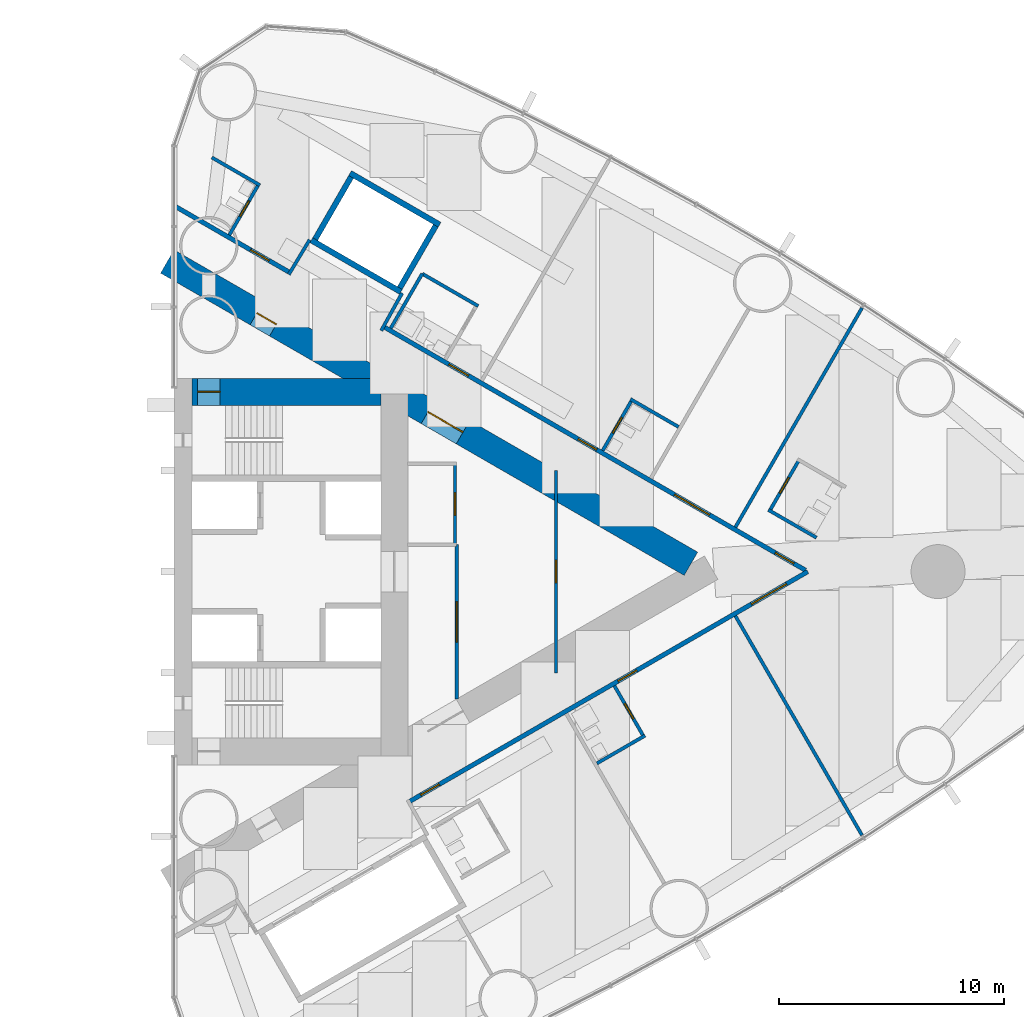
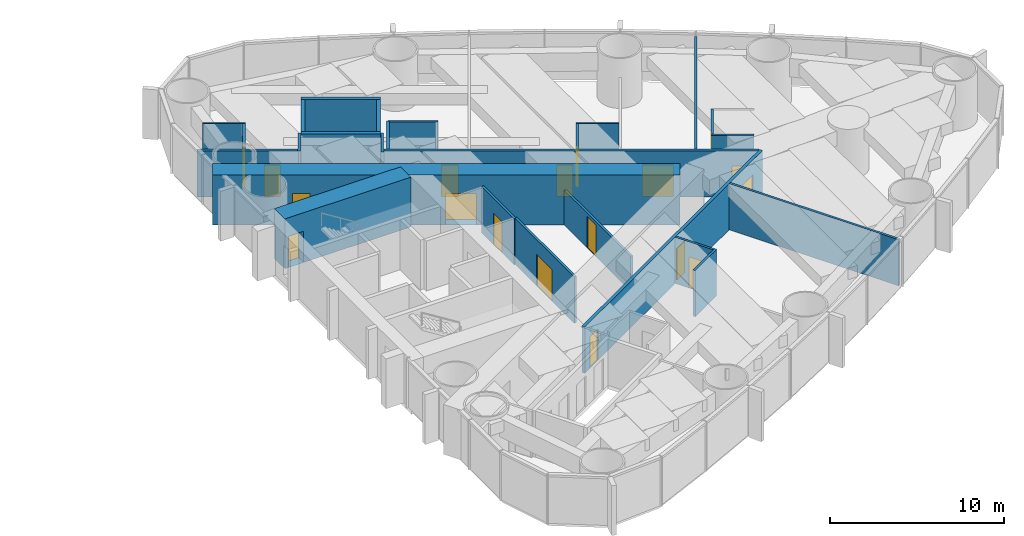
# One storey, part 14 of 18: 26 walls, 18 doors, 18 openings.
"""IFC4 building model written with IfcOpenShell, lengths in metres."""

from ifc_helpers import new_model, si_unit, direction, frame, frame_2d, origin, place, context, subcontext, project, spatial, rectangle, extrude, material, layer, layer_set, type_object, element, fill, save


model = new_model("IFC4")

# Units and contexts
model_context = context("Model", 3, precision=1e-05, world=origin(), true_north=direction((0.0, 1.0)))
body_context = subcontext(model_context, "Body", "Model", "MODEL_VIEW")
ifc_project = project(units=[si_unit("LENGTHUNIT", "METRE"), si_unit("AREAUNIT", "SQUARE_METRE"), si_unit("VOLUMEUNIT", "CUBIC_METRE"), si_unit("PLANEANGLEUNIT", "RADIAN"), si_unit("MASSUNIT", "GRAM", prefix="KILO")], contexts=[model_context])

# Site, building, storey
site_placement = place(None, origin())
site = spatial("IfcSite", under=ifc_project, at=site_placement, CompositionType="ELEMENT")
building_placement = place(site_placement, origin())
building = spatial("IfcBuilding", under=site, at=building_placement, Name="Lancet Gate Hotel", CompositionType="ELEMENT")
storey_placement = place(building_placement, frame((0.0, 0.0, 139.60009765625)))
storey = spatial("IfcBuildingStorey", under=building, at=storey_placement, Name="L37", CompositionType="ELEMENT", Elevation=139.60009765625)

# Wall
ifc_material_1 = material(Name="Moisture resistant board partition")
ifc_layer_1 = layer(ifc_material_1, 0.14990234375)
ifc_layer_set_1 = layer_set([ifc_layer_1], Name="Bathroom wall 150")
wall_type_1 = type_object("IfcWallType", Name="Bathroom wall 150", PredefinedType="PARTITIONING", material=ifc_layer_set_1)
wall_1_placement = place(storey_placement, frame((46.318603515625, -8.535400390625, 0.0), z_axis=(0.0, 0.0, 1.0), x_axis=(0.866006523861, 0.500032699561, 0.0)))
element("IfcWall", 1, at=wall_1_placement, inside=storey, type_object=wall_type_1, Name="T2 bathroom wall 150 L37", PredefinedType="PARTITIONING", context=body_context, shape_type="SweptSolid", body=[
    extrude(rectangle(XDim=2.474853515625, YDim=0.14990234375, at=frame_2d((1.2373046875, 0.0))), origin(), (0.0, 0.0, 1.0), 3.25),
])

# Wall, opening, door
wall_2_placement = place(storey_placement, frame((47.096923828125, -5.083740234375, 0.0), z_axis=(0.0, 0.0, 1.0), x_axis=(0.500006934395, -0.866021400173, 0.0)))
wall_2 = element("IfcWall", 2, at=wall_2_placement, inside=storey, type_object=wall_type_1, Name="T2 bathroom wall 150 L37", PredefinedType="PARTITIONING", context=body_context, shape_type="SweptSolid", body=[
    extrude(rectangle(XDim=2.60009765625, YDim=0.14990234375, at=frame_2d((1.300048828125, 0.0))), origin(), (0.0, 0.0, 1.0), 3.25),
])
opening_1_placement = place(wall_2_placement, frame((0.89990234375, 0.0, 0.0)))
opening_1 = element("IfcOpeningElement", 3, at=opening_1_placement, cuts=wall_2, Name="Opening 3755-B", PredefinedType="OPENING", context=body_context, shape_type="SweptSolid", body=[
    extrude(rectangle(XDim=0.800048828125, YDim=2.199951171875, at=frame_2d((0.39990234375, 1.10009765625))), frame((0.0, 0.0849609375, 0.0), z_axis=(0.0, -1.0, 0.0), x_axis=(1.0, 0.0, 0.0)), (0.0, 0.0, 1.0), 0.169921875),
])
ifc_material_2 = material(Name="Timber door set", Category="wood")
door_type_1 = type_object("IfcDoorType", Name="Bathroom door 800", OperationType="SINGLE_SWING_RIGHT", PredefinedType="DOOR", material=ifc_material_2)
door_1_placement = place(opening_1_placement, origin())
door_1 = element("IfcDoor", 4, at=door_1_placement, inside=storey, type_object=door_type_1, Name="3755-B", OperationType="SINGLE_SWING_RIGHT", OverallHeight=2.199951171875, OverallWidth=0.800048828125, PredefinedType="DOOR", context=body_context, shape_type="SweptSolid", body=[
    extrude(rectangle(XDim=0.800048828125, YDim=2.199951171875, at=frame_2d((0.39990234375, 1.10009765625))), frame((0.0, 0.02490234375, 0.0), z_axis=(0.0, -1.0, 0.0), x_axis=(1.0, 0.0, 0.0)), (0.0, 0.0, 1.0), 0.050048828125),
])
fill(opening_1, door_1)

wall_3_placement = place(storey_placement, frame((54.010009765625, 2.708984375, 0.0), z_axis=(0.0, 0.0, 1.0), x_axis=(0.500006934395, 0.866021400173, 0.0)))
wall_3 = element("IfcWall", 5, at=wall_3_placement, inside=storey, type_object=wall_type_1, Name="T2 bathroom wall 150 L37", PredefinedType="PARTITIONING", context=body_context, shape_type="SweptSolid", body=[
    extrude(rectangle(XDim=2.60009765625, YDim=0.14990234375, at=frame_2d((1.300048828125, 0.0))), origin(), (0.0, 0.0, 1.0), 3.25),
])
opening_2_placement = place(wall_3_placement, frame((0.89990234375, 0.0, 0.0)))
opening_2 = element("IfcOpeningElement", 6, at=opening_2_placement, cuts=wall_3, Name="Opening 3758-B", PredefinedType="OPENING", context=body_context, shape_type="SweptSolid", body=[
    extrude(rectangle(XDim=0.800048828125, YDim=2.199951171875, at=frame_2d((0.39990234375, 1.10009765625))), frame((0.0, 0.0849609375, 0.0), z_axis=(0.0, -1.0, 0.0), x_axis=(1.0, 0.0, 0.0)), (0.0, 0.0, 1.0), 0.169921875),
])
door_2_placement = place(opening_2_placement, origin())
door_2 = element("IfcDoor", 7, at=door_2_placement, inside=storey, type_object=door_type_1, Name="3758-B", OperationType="SINGLE_SWING_RIGHT", OverallHeight=2.199951171875, OverallWidth=0.800048828125, PredefinedType="DOOR", context=body_context, shape_type="SweptSolid", body=[
    extrude(rectangle(XDim=0.800048828125, YDim=2.199951171875, at=frame_2d((0.39990234375, 1.10009765625))), frame((0.0, 0.02490234375, 0.0), z_axis=(0.0, -1.0, 0.0), x_axis=(1.0, 0.0, 0.0)), (0.0, 0.0, 1.0), 0.050048828125),
])
fill(opening_2, door_2)

# Walls
for number, where, z_axis, x_axis, name in (
    (8, (53.945068359375, 2.74658203125, 0.0), (0.0, 0.0, 1.0), (0.866031185235, -0.4999899861, 0.0), "T2 bathroom wall 150 L37"),
    (9, (47.81005859375, 7.67431640625, 0.0), (0.0, 0.0, 1.0), (0.866031185235, -0.4999899861, 0.0), "T2 bathroom wall 150 L37"),
):
    element("IfcWall", number, at=place(storey_placement, frame(where, z_axis=z_axis, x_axis=x_axis)), inside=storey, type_object=wall_type_1, Name=name, PredefinedType="PARTITIONING", context=body_context, shape_type="SweptSolid", body=[
        extrude(rectangle(XDim=2.47509765625, YDim=0.14990234375, at=frame_2d((1.237548828125, 0.0))), origin(), (0.0, 0.0, 1.0), 3.25),
    ])

# Wall, opening, door
wall_4_placement = place(storey_placement, frame((46.574951171875, 5.385009765625, 0.0), z_axis=(0.0, 0.0, 1.0), x_axis=(0.500006934395, 0.866021400173, 0.0)))
wall_4 = element("IfcWall", 10, at=wall_4_placement, inside=storey, type_object=wall_type_1, Name="T2 bathroom wall 150 L37", PredefinedType="PARTITIONING", context=body_context, shape_type="SweptSolid", body=[
    extrude(rectangle(XDim=2.60009765625, YDim=0.14990234375, at=frame_2d((1.300048828125, 0.0))), origin(), (0.0, 0.0, 1.0), 3.25),
])
opening_3_placement = place(wall_4_placement, frame((0.89990234375, 0.0, 0.0)))
opening_3 = element("IfcOpeningElement", 11, at=opening_3_placement, cuts=wall_4, Name="Opening 3760-B", PredefinedType="OPENING", context=body_context, shape_type="SweptSolid", body=[
    extrude(rectangle(XDim=0.800048828125, YDim=2.199951171875, at=frame_2d((0.39990234375, 1.10009765625))), frame((0.0, 0.0849609375, 0.0), z_axis=(0.0, -1.0, 0.0), x_axis=(1.0, 0.0, 0.0)), (0.0, 0.0, 1.0), 0.169921875),
])
door_3_placement = place(opening_3_placement, origin())
door_3 = element("IfcDoor", 12, at=door_3_placement, inside=storey, type_object=door_type_1, Name="3760-B", OperationType="SINGLE_SWING_RIGHT", OverallHeight=2.199951171875, OverallWidth=0.800048828125, PredefinedType="DOOR", context=body_context, shape_type="SweptSolid", body=[
    extrude(rectangle(XDim=0.800048828125, YDim=2.199951171875, at=frame_2d((0.39990234375, 1.10009765625))), frame((0.0, 0.02490234375, 0.0), z_axis=(0.0, -1.0, 0.0), x_axis=(1.0, 0.0, 0.0)), (0.0, 0.0, 1.0), 0.050048828125),
])
fill(opening_3, door_3)

# Walls
wall_5_placement = place(storey_placement, frame((38.5439453125, 13.255126953125, 0.0), z_axis=(0.0, 0.0, 1.0), x_axis=(0.866018712932, -0.500011588718, 0.0)))
element("IfcWall", 13, at=wall_5_placement, inside=storey, type_object=wall_type_1, Name="T2 bathroom wall 150 L37", PredefinedType="PARTITIONING", context=body_context, shape_type="SweptSolid", body=[
    extrude(rectangle(XDim=2.875, YDim=0.14990234375, at=frame_2d((1.4375, 0.0))), origin(), (0.0, 0.0, 1.0), 3.25),
])
wall_6_placement = place(storey_placement, frame((37.143798828125, 10.830078125, 0.0), z_axis=(0.0, 0.0, 1.0), x_axis=(0.500011755427, 0.866018616679, 0.0)))
element("IfcWall", 14, at=wall_6_placement, inside=storey, type_object=wall_type_1, Name="T2 bathroom wall 150 L37", PredefinedType="PARTITIONING", context=body_context, shape_type="SweptSolid", body=[
    extrude(rectangle(XDim=2.80029296875, YDim=0.14990234375, at=frame_2d((1.400146484375, 0.0))), origin(), (0.0, 0.0, 1.0), 3.25),
])
wall_7_placement = place(storey_placement, frame((29.181884765625, 18.42919921875, 0.0), z_axis=(0.0, 0.0, 1.0), x_axis=(0.866006523861, -0.500032699561, 0.0)))
element("IfcWall", 15, at=wall_7_placement, inside=storey, type_object=wall_type_1, Name="T2 bathroom wall 150 L37", PredefinedType="PARTITIONING", context=body_context, shape_type="SweptSolid", body=[
    extrude(rectangle(XDim=2.474853515625, YDim=0.14990234375, at=frame_2d((1.2373046875, 0.0))), origin(), (0.0, 0.0, 1.0), 3.25),
])

# Wall, opening, door
wall_8_placement = place(storey_placement, frame((29.960205078125, 14.9775390625, 0.0), z_axis=(0.0, 0.0, 1.0), x_axis=(0.500006934395, 0.866021400173, 0.0)))
wall_8 = element("IfcWall", 16, at=wall_8_placement, inside=storey, type_object=wall_type_1, Name="T2 bathroom wall 150 L37", PredefinedType="PARTITIONING", context=body_context, shape_type="SweptSolid", body=[
    extrude(rectangle(XDim=2.60009765625, YDim=0.14990234375, at=frame_2d((1.300048828125, 0.0))), origin(), (0.0, 0.0, 1.0), 3.25),
])
opening_4_placement = place(wall_8_placement, frame((0.949951171875, 0.0, 0.0)))
opening_4 = element("IfcOpeningElement", 17, at=opening_4_placement, cuts=wall_8, Name="Opening 3764-B", PredefinedType="OPENING", context=body_context, shape_type="SweptSolid", body=[
    extrude(rectangle(XDim=0.800048828125, YDim=2.199951171875, at=frame_2d((0.39990234375, 1.10009765625))), frame((0.0, 0.0849609375, 0.0), z_axis=(0.0, -1.0, 0.0), x_axis=(1.0, 0.0, 0.0)), (0.0, 0.0, 1.0), 0.169921875),
])
door_4_placement = place(opening_4_placement, origin())
door_4 = element("IfcDoor", 18, at=door_4_placement, inside=storey, type_object=door_type_1, Name="3764-B", OperationType="SINGLE_SWING_RIGHT", OverallHeight=2.199951171875, OverallWidth=0.800048828125, PredefinedType="DOOR", context=body_context, shape_type="SweptSolid", body=[
    extrude(rectangle(XDim=0.800048828125, YDim=2.199951171875, at=frame_2d((0.39990234375, 1.10009765625))), frame((0.0, 0.02490234375, 0.0), z_axis=(0.0, -1.0, 0.0), x_axis=(1.0, 0.0, 0.0)), (0.0, 0.0, 1.0), 0.050048828125),
])
fill(opening_4, door_4)

# Wall, openings, doors
ifc_material_3 = material(Name="Concrete C70/85", Category="concrete")
ifc_layer_2 = layer(ifc_material_3, 1.199951171875)
ifc_layer_set_2 = layer_set([ifc_layer_2], Name="Buttress wall 1200")
wall_type_2 = type_object("IfcWallType", Name="Buttress wall 1200", PredefinedType="SHEAR", material=ifc_layer_set_2)
wall_9_placement = place(storey_placement, frame((27.199951171875, 13.800048828125, 0.0), z_axis=(0.0, 0.0, 1.0), x_axis=(0.866024515034, -0.500001539357, 0.0)))
wall_9 = element("IfcWall", 19, at=wall_9_placement, inside=storey, type_object=wall_type_2, Name="T2 buttress wall N L37", PredefinedType="SHEAR", context=body_context, shape_type="SweptSolid", body=[
    extrude(rectangle(XDim=26.9072265625, YDim=1.199951171875, at=frame_2d((13.45361328125, 0.0))), origin(), (0.0, 0.0, 1.0), 3.5),
])
opening_5_placement = place(wall_9_placement, frame((4.60009765625, 0.0, 0.0)))
opening_5 = element("IfcOpeningElement", 20, at=opening_5_placement, cuts=wall_9, Name="Opening T2-L37-LN", PredefinedType="OPENING", context=body_context, shape_type="SweptSolid", body=[
    extrude(rectangle(XDim=1.0, YDim=2.199951171875, at=frame_2d((0.5, 1.10009765625))), frame((0.0, 0.60986328125, 0.0), z_axis=(0.0, -1.0, 0.0), x_axis=(1.0, 0.0, 0.0)), (0.0, 0.0, 1.0), 1.219970703125),
])
opening_6_placement = place(wall_9_placement, frame((13.39453125, 0.0, 0.0)))
opening_6 = element("IfcOpeningElement", 21, at=opening_6_placement, cuts=wall_9, Name="Opening T2-L37-LHN", PredefinedType="OPENING", context=body_context, shape_type="SweptSolid", body=[
    extrude(rectangle(XDim=1.800048828125, YDim=2.199951171875, at=frame_2d((0.89990234375, 1.10009765625))), frame((0.0, 0.60986328125, 0.0), z_axis=(0.0, -1.0, 0.0), x_axis=(1.0, 0.0, 0.0)), (0.0, 0.0, 1.0), 1.219970703125),
])
ifc_material_4 = material(Name="Timber door set", Category="wood")
door_type_2 = type_object("IfcDoorType", Name="Lobby double door 1800", OperationType="DOUBLE_DOOR_SINGLE_SWING", PredefinedType="DOOR", material=ifc_material_4)
door_5_placement = place(opening_6_placement, origin())
door_5 = element("IfcDoor", 22, at=door_5_placement, inside=storey, type_object=door_type_2, Name="T2-L37-LHN", OperationType="DOUBLE_DOOR_SINGLE_SWING", OverallHeight=2.199951171875, OverallWidth=1.800048828125, PredefinedType="DOOR", context=body_context, shape_type="SweptSolid", body=[
    extrude(rectangle(XDim=1.800048828125, YDim=2.199951171875, at=frame_2d((0.89990234375, 1.10009765625))), frame((0.0, 0.02490234375, 0.0), z_axis=(0.0, -1.0, 0.0), x_axis=(1.0, 0.0, 0.0)), (0.0, 0.0, 1.0), 0.050048828125),
])
fill(opening_6, door_5)
ifc_material_5 = material(Name="Timber door set", Category="wood")
door_type_3 = type_object("IfcDoorType", Name="Stair lobby door 1000", OperationType="SINGLE_SWING_LEFT", PredefinedType="DOOR", material=ifc_material_5)
door_6_placement = place(opening_5_placement, origin())
door_6 = element("IfcDoor", 23, at=door_6_placement, inside=storey, type_object=door_type_3, Name="T2-L37-LN", OperationType="SINGLE_SWING_LEFT", OverallHeight=2.199951171875, OverallWidth=1.0, PredefinedType="DOOR", context=body_context, shape_type="SweptSolid", body=[
    extrude(rectangle(XDim=1.0, YDim=2.199951171875, at=frame_2d((0.5, 1.10009765625))), frame((0.0, 0.02490234375, 0.0), z_axis=(0.0, -1.0, 0.0), x_axis=(1.0, 0.0, 0.0)), (0.0, 0.0, 1.0), 0.050048828125),
])
fill(opening_5, door_6)

# Wall, opening, door
ifc_material_6 = material(Name="Concrete C70/85", Category="concrete")
ifc_layer_3 = layer(ifc_material_6, 1.199951171875)
ifc_layer_set_3 = layer_set([ifc_layer_3], Name="Core wall 1200")
wall_type_3 = type_object("IfcWallType", Name="Core wall 1200", PredefinedType="SHEAR", material=ifc_layer_set_3)
wall_10_placement = place(storey_placement, frame((28.300048828125, 8.0, 0.0), z_axis=(0.0, 0.0, 1.0), x_axis=(1.0, 0.0, 0.0)))
wall_10 = element("IfcWall", 24, at=wall_10_placement, inside=storey, type_object=wall_type_3, Name="T2 core wall side-N L37", PredefinedType="SHEAR", context=body_context, shape_type="SweptSolid", body=[
    extrude(rectangle(XDim=8.39990234375, YDim=1.199951171875, at=frame_2d((4.199951171875, 0.0))), origin(), (0.0, 0.0, 1.0), 3.5),
])
opening_7_placement = place(wall_10_placement, frame((0.25, 0.0, 0.0)))
opening_7 = element("IfcOpeningElement", 25, at=opening_7_placement, cuts=wall_10, Name="Opening T2-L37-ST2", PredefinedType="OPENING", context=body_context, shape_type="SweptSolid", body=[
    extrude(rectangle(XDim=1.0, YDim=2.199951171875, at=frame_2d((0.5, 1.10009765625))), frame((0.0, 0.60986328125, 0.0), z_axis=(0.0, -1.0, 0.0), x_axis=(1.0, 0.0, 0.0)), (0.0, 0.0, 1.0), 1.219970703125),
])
ifc_material_7 = material(Name="Timber door set", Category="wood")
door_type_4 = type_object("IfcDoorType", Name="Stair door 1000", OperationType="SINGLE_SWING_RIGHT", PredefinedType="DOOR", material=ifc_material_7)
door_7_placement = place(opening_7_placement, origin())
door_7 = element("IfcDoor", 26, at=door_7_placement, inside=storey, type_object=door_type_4, Name="T2-L37-ST2", OperationType="SINGLE_SWING_RIGHT", OverallHeight=2.199951171875, OverallWidth=1.0, PredefinedType="DOOR", context=body_context, shape_type="SweptSolid", body=[
    extrude(rectangle(XDim=1.0, YDim=2.199951171875, at=frame_2d((0.5, 1.10009765625))), frame((0.0, 0.02490234375, 0.0), z_axis=(0.0, -1.0, 0.0), x_axis=(1.0, 0.0, 0.0)), (0.0, 0.0, 1.0), 0.050048828125),
])
fill(opening_7, door_7)

# Wall, openings, doors
ifc_material_8 = material(Name="Gypsum board partition")
ifc_layer_4 = layer(ifc_material_8, 0.199951171875)
ifc_layer_set_4 = layer_set([ifc_layer_4], Name="Corridor wall 200")
wall_type_4 = type_object("IfcWallType", Name="Corridor wall 200", PredefinedType="PARTITIONING", material=ifc_layer_set_4)
wall_11_placement = place(storey_placement, frame((37.9599609375, -10.243408203125, 0.0), z_axis=(0.0, 0.0, 1.0), x_axis=(0.866026429433, 0.499998223521, 0.0)))
wall_11 = element("IfcWall", 27, at=wall_11_placement, inside=storey, type_object=wall_type_4, Name="T2 corridor wall 200 L37", PredefinedType="PARTITIONING", context=body_context, shape_type="SweptSolid", body=[
    extrude(rectangle(XDim=20.48681640625, YDim=0.199951171875, at=frame_2d((10.243408203125, 0.0))), origin(), (0.0, 0.0, 1.0), 3.25),
])
opening_8_placement = place(wall_11_placement, frame((10.74267578125, 0.0, 0.0)))
opening_8 = element("IfcOpeningElement", 28, at=opening_8_placement, cuts=wall_11, Name="Opening 3755-E", PredefinedType="OPENING", context=body_context, shape_type="SweptSolid", body=[
    extrude(rectangle(XDim=0.949951171875, YDim=2.199951171875, at=frame_2d((0.47509765625, 1.10009765625))), frame((0.0, 0.10986328125, 0.0), z_axis=(0.0, -1.0, 0.0), x_axis=(1.0, 0.0, 0.0)), (0.0, 0.0, 1.0), 0.219970703125),
])
opening_9_placement = place(wall_11_placement, frame((17.5859375, 0.0, 0.0)))
opening_9 = element("IfcOpeningElement", 29, at=opening_9_placement, cuts=wall_11, Name="Opening 3757-E", PredefinedType="OPENING", context=body_context, shape_type="SweptSolid", body=[
    extrude(rectangle(XDim=1.800048828125, YDim=2.199951171875, at=frame_2d((0.89990234375, 1.10009765625))), frame((0.0, 0.10986328125, 0.0), z_axis=(0.0, -1.0, 0.0), x_axis=(1.0, 0.0, 0.0)), (0.0, 0.0, 1.0), 0.219970703125),
])
opening_10_placement = place(wall_11_placement, frame((0.60009765625, 0.0, 0.0)))
opening_10 = element("IfcOpeningElement", 30, at=opening_10_placement, cuts=wall_11, Name="Opening 3753-E", PredefinedType="OPENING", context=body_context, shape_type="SweptSolid", body=[
    extrude(rectangle(XDim=0.949951171875, YDim=2.199951171875, at=frame_2d((0.47509765625, 1.10009765625))), frame((0.0, 0.10986328125, 0.0), z_axis=(0.0, -1.0, 0.0), x_axis=(1.0, 0.0, 0.0)), (0.0, 0.0, 1.0), 0.219970703125),
])
ifc_material_9 = material(Name="Timber door set", Category="wood")
door_type_5 = type_object("IfcDoorType", Name="Double door 1800", OperationType="DOUBLE_DOOR_SINGLE_SWING", PredefinedType="DOOR", material=ifc_material_9)
door_8_placement = place(opening_9_placement, origin())
door_8 = element("IfcDoor", 31, at=door_8_placement, inside=storey, type_object=door_type_5, Name="3757-E", OperationType="DOUBLE_DOOR_SINGLE_SWING", OverallHeight=2.199951171875, OverallWidth=1.800048828125, PredefinedType="DOOR", context=body_context, shape_type="SweptSolid", body=[
    extrude(rectangle(XDim=1.800048828125, YDim=2.199951171875, at=frame_2d((0.89990234375, 1.10009765625))), frame((0.0, 0.02490234375, 0.0), z_axis=(0.0, -1.0, 0.0), x_axis=(1.0, 0.0, 0.0)), (0.0, 0.0, 1.0), 0.050048828125),
])
fill(opening_9, door_8)
ifc_material_10 = material(Name="Timber door set", Category="wood")
door_type_6 = type_object("IfcDoorType", Name="Guest room entry door 950", OperationType="SINGLE_SWING_LEFT", PredefinedType="DOOR", material=ifc_material_10)
door_9_placement = place(opening_8_placement, origin())
door_9 = element("IfcDoor", 32, at=door_9_placement, inside=storey, type_object=door_type_6, Name="3755-E", OperationType="SINGLE_SWING_LEFT", OverallHeight=2.199951171875, OverallWidth=0.949951171875, PredefinedType="DOOR", context=body_context, shape_type="SweptSolid", body=[
    extrude(rectangle(XDim=0.949951171875, YDim=2.199951171875, at=frame_2d((0.47509765625, 1.10009765625))), frame((0.0, 0.02490234375, 0.0), z_axis=(0.0, -1.0, 0.0), x_axis=(1.0, 0.0, 0.0)), (0.0, 0.0, 1.0), 0.050048828125),
])
fill(opening_8, door_9)
door_10_placement = place(opening_10_placement, origin())
door_10 = element("IfcDoor", 33, at=door_10_placement, inside=storey, type_object=door_type_6, Name="3753-E", OperationType="SINGLE_SWING_LEFT", OverallHeight=2.199951171875, OverallWidth=0.949951171875, PredefinedType="DOOR", context=body_context, shape_type="SweptSolid", body=[
    extrude(rectangle(XDim=0.949951171875, YDim=2.199951171875, at=frame_2d((0.47509765625, 1.10009765625))), frame((0.0, 0.02490234375, 0.0), z_axis=(0.0, -1.0, 0.0), x_axis=(1.0, 0.0, 0.0)), (0.0, 0.0, 1.0), 0.050048828125),
])
fill(opening_10, door_10)

# Wall, opening, door
wall_12_placement = place(storey_placement, frame((27.572021484375, 16.240966796875, 0.0), z_axis=(0.0, 0.0, 1.0), x_axis=(0.866032814021, -0.499987164874, 0.0)))
wall_12 = element("IfcWall", 34, at=wall_12_placement, inside=storey, type_object=wall_type_4, Name="T2 corridor wall 200 L37", PredefinedType="PARTITIONING", context=body_context, shape_type="SweptSolid", body=[
    extrude(rectangle(XDim=5.854736328125, YDim=0.199951171875, at=frame_2d((2.92724609375, 0.0))), origin(), (0.0, 0.0, 1.0), 3.25),
])
opening_11_placement = place(wall_12_placement, frame((3.85009765625, 0.0, 0.0)))
opening_11 = element("IfcOpeningElement", 35, at=opening_11_placement, cuts=wall_12, Name="Opening 3764-E", PredefinedType="OPENING", context=body_context, shape_type="SweptSolid", body=[
    extrude(rectangle(XDim=0.949951171875, YDim=2.199951171875, at=frame_2d((0.47509765625, 1.10009765625))), frame((0.0, 0.10986328125, 0.0), z_axis=(0.0, -1.0, 0.0), x_axis=(1.0, 0.0, 0.0)), (0.0, 0.0, 1.0), 0.219970703125),
])
door_11_placement = place(opening_11_placement, origin())
door_11 = element("IfcDoor", 36, at=door_11_placement, inside=storey, type_object=door_type_6, Name="3764-E", OperationType="SINGLE_SWING_LEFT", OverallHeight=2.199951171875, OverallWidth=0.949951171875, PredefinedType="DOOR", context=body_context, shape_type="SweptSolid", body=[
    extrude(rectangle(XDim=0.949951171875, YDim=2.199951171875, at=frame_2d((0.47509765625, 1.10009765625))), frame((0.0, 0.02490234375, 0.0), z_axis=(0.0, -1.0, 0.0), x_axis=(1.0, 0.0, 0.0)), (0.0, 0.0, 1.0), 0.050048828125),
])
fill(opening_11, door_11)

# Wall, openings, doors
wall_13_placement = place(storey_placement, frame((36.833984375, 10.8935546875, 0.0), z_axis=(0.0, 0.0, 1.0), x_axis=(0.866028157229, -0.499995230863, 0.0)))
wall_13 = element("IfcWall", 37, at=wall_13_placement, inside=storey, type_object=wall_type_4, Name="T2 corridor wall 200 L37", PredefinedType="PARTITIONING", context=body_context, shape_type="SweptSolid", body=[
    extrude(rectangle(XDim=21.667236328125, YDim=0.199951171875, at=frame_2d((10.83349609375, 0.0))), origin(), (0.0, 0.0, 1.0), 3.25),
])
opening_12_placement = place(wall_13_placement, frame((20.1171875, 0.0, 0.0)))
opening_12 = element("IfcOpeningElement", 38, at=opening_12_placement, cuts=wall_13, Name="Opening 3758-E", PredefinedType="OPENING", context=body_context, shape_type="SweptSolid", body=[
    extrude(rectangle(XDim=0.949951171875, YDim=2.199951171875, at=frame_2d((0.47509765625, 1.10009765625))), frame((0.0, 0.10986328125, 0.0), z_axis=(0.0, -1.0, 0.0), x_axis=(1.0, 0.0, 0.0)), (0.0, 0.0, 1.0), 0.219970703125),
])
opening_13_placement = place(wall_13_placement, frame((14.937744140625, 0.0, 0.0)))
opening_13 = element("IfcOpeningElement", 39, at=opening_13_placement, cuts=wall_13, Name="Opening 3759-E", PredefinedType="OPENING", context=body_context, shape_type="SweptSolid", body=[
    extrude(rectangle(XDim=1.800048828125, YDim=2.199951171875, at=frame_2d((0.89990234375, 1.10009765625))), frame((0.0, 0.10986328125, 0.0), z_axis=(0.0, -1.0, 0.0), x_axis=(1.0, 0.0, 0.0)), (0.0, 0.0, 1.0), 0.219970703125),
])
opening_14_placement = place(wall_13_placement, frame((9.990234375, 0.0, 0.0)))
opening_14 = element("IfcOpeningElement", 40, at=opening_14_placement, cuts=wall_13, Name="Opening 3760-E", PredefinedType="OPENING", context=body_context, shape_type="SweptSolid", body=[
    extrude(rectangle(XDim=0.949951171875, YDim=2.199951171875, at=frame_2d((0.47509765625, 1.10009765625))), frame((0.0, 0.10986328125, 0.0), z_axis=(0.0, -1.0, 0.0), x_axis=(1.0, 0.0, 0.0)), (0.0, 0.0, 1.0), 0.219970703125),
])
opening_15_placement = place(wall_13_placement, frame((3.35009765625, 0.0, 0.0)))
opening_15 = element("IfcOpeningElement", 41, at=opening_15_placement, cuts=wall_13, Name="Opening 3762-E", PredefinedType="OPENING", context=body_context, shape_type="SweptSolid", body=[
    extrude(rectangle(XDim=1.0, YDim=2.199951171875, at=frame_2d((0.5, 1.10009765625))), frame((0.0, 0.10986328125, 0.0), z_axis=(0.0, -1.0, 0.0), x_axis=(1.0, 0.0, 0.0)), (0.0, 0.0, 1.0), 0.219970703125),
])
ifc_material_11 = material(Name="Timber door set", Category="wood")
door_type_7 = type_object("IfcDoorType", Name="Accessible guest room door 1000", OperationType="SINGLE_SWING_LEFT", PredefinedType="DOOR", material=ifc_material_11)
door_12_placement = place(opening_15_placement, origin())
door_12 = element("IfcDoor", 42, at=door_12_placement, inside=storey, type_object=door_type_7, Name="3762-E", OperationType="SINGLE_SWING_LEFT", OverallHeight=2.199951171875, OverallWidth=1.0, PredefinedType="DOOR", context=body_context, shape_type="SweptSolid", body=[
    extrude(rectangle(XDim=1.0, YDim=2.199951171875, at=frame_2d((0.5, 1.10009765625))), frame((0.0, 0.02490234375, 0.0), z_axis=(0.0, -1.0, 0.0), x_axis=(1.0, 0.0, 0.0)), (0.0, 0.0, 1.0), 0.050048828125),
])
fill(opening_15, door_12)
door_13_placement = place(opening_13_placement, origin())
door_13 = element("IfcDoor", 43, at=door_13_placement, inside=storey, type_object=door_type_5, Name="3759-E", OperationType="DOUBLE_DOOR_SINGLE_SWING", OverallHeight=2.199951171875, OverallWidth=1.800048828125, PredefinedType="DOOR", context=body_context, shape_type="SweptSolid", body=[
    extrude(rectangle(XDim=1.800048828125, YDim=2.199951171875, at=frame_2d((0.89990234375, 1.10009765625))), frame((0.0, 0.02490234375, 0.0), z_axis=(0.0, -1.0, 0.0), x_axis=(1.0, 0.0, 0.0)), (0.0, 0.0, 1.0), 0.050048828125),
])
fill(opening_13, door_13)
door_14_placement = place(opening_12_placement, origin())
door_14 = element("IfcDoor", 44, at=door_14_placement, inside=storey, type_object=door_type_6, Name="3758-E", OperationType="SINGLE_SWING_LEFT", OverallHeight=2.199951171875, OverallWidth=0.949951171875, PredefinedType="DOOR", context=body_context, shape_type="SweptSolid", body=[
    extrude(rectangle(XDim=0.949951171875, YDim=2.199951171875, at=frame_2d((0.47509765625, 1.10009765625))), frame((0.0, 0.02490234375, 0.0), z_axis=(0.0, -1.0, 0.0), x_axis=(1.0, 0.0, 0.0)), (0.0, 0.0, 1.0), 0.050048828125),
])
fill(opening_12, door_14)
door_15_placement = place(opening_14_placement, origin())
door_15 = element("IfcDoor", 45, at=door_15_placement, inside=storey, type_object=door_type_6, Name="3760-E", OperationType="SINGLE_SWING_LEFT", OverallHeight=2.199951171875, OverallWidth=0.949951171875, PredefinedType="DOOR", context=body_context, shape_type="SweptSolid", body=[
    extrude(rectangle(XDim=0.949951171875, YDim=2.199951171875, at=frame_2d((0.47509765625, 1.10009765625))), frame((0.0, 0.02490234375, 0.0), z_axis=(0.0, -1.0, 0.0), x_axis=(1.0, 0.0, 0.0)), (0.0, 0.0, 1.0), 0.050048828125),
])
fill(opening_14, door_15)

# Walls
ifc_material_12 = material(Name="Gypsum board partition")
ifc_layer_5 = layer(ifc_material_12, 0.25)
ifc_layer_set_5 = layer_set([ifc_layer_5], Name="Lift shaft partition 250")
wall_type_5 = type_object("IfcWallType", Name="Lift shaft partition 250", PredefinedType="PARTITIONING", material=ifc_layer_set_5)
for number, where, z_axis, x_axis, name in (
    (46, (33.6083984375, 14.747314453125, 0.0), (0.0, 0.0, 1.0), (0.866043305498, -0.49996899204, 0.0), "T2 lift shaft wall EX L37"),
    (47, (35.33349609375, 17.73583984375, 0.0), (0.0, 0.0, 1.0), (0.866043305498, -0.49996899204, 0.0), "T2 lift shaft wall EX L37"),
):
    element("IfcWall", number, at=place(storey_placement, frame(where, z_axis=z_axis, x_axis=x_axis)), inside=storey, type_object=wall_type_5, Name=name, PredefinedType="PARTITIONING", context=body_context, shape_type="SweptSolid", body=[
        extrude(rectangle(XDim=4.600341796875, YDim=0.25, at=frame_2d((2.30029296875, 0.0))), origin(), (0.0, 0.0, 1.0), 3.25),
    ])
for number, where, z_axis, x_axis, name in (
    (48, (33.779296875, 14.79296875, 0.0), (0.0, 0.0, 1.0), (0.499929347863, 0.866066190972, 0.0), "T2 lift shaft wall EX L37"),
    (49, (37.546630859375, 12.617919921875, 0.0), (0.0, 0.0, 1.0), (0.499929347863, 0.866066190972, 0.0), "T2 lift shaft wall EX L37"),
):
    element("IfcWall", number, at=place(storey_placement, frame(where, z_axis=z_axis, x_axis=x_axis)), inside=storey, type_object=wall_type_5, Name=name, PredefinedType="PARTITIONING", context=body_context, shape_type="SweptSolid", body=[
        extrude(rectangle(XDim=3.20068359375, YDim=0.25, at=frame_2d((1.600341796875, 0.0))), origin(), (0.0, 0.0, 1.0), 3.25),
    ])
ifc_material_13 = material(Name="Gypsum board partition")
ifc_layer_6 = layer(ifc_material_13, 0.14990234375)
ifc_layer_set_6 = layer_set([ifc_layer_6], Name="Party wall 150")
wall_type_6 = type_object("IfcWallType", Name="Party wall 150", PredefinedType="PARTITIONING", material=ifc_layer_set_6)
for number, where, z_axis, x_axis, name in (
    (50, (52.4814453125, -1.97509765625, 0.0), (0.0, 0.0, 1.0), (0.500003867771, -0.866023170714, 0.0), "T2 party wall 150 L37"),
    (51, (52.4814453125, 1.97509765625, 0.0), (0.0, 0.0, 1.0), (0.500003867771, 0.866023170714, 0.0), "T2 party wall 150 L37"),
):
    element("IfcWall", number, at=place(storey_placement, frame(where, z_axis=z_axis, x_axis=x_axis)), inside=storey, type_object=wall_type_6, Name=name, PredefinedType="PARTITIONING", context=body_context, shape_type="SweptSolid", body=[
        extrude(rectangle(XDim=11.2646484375, YDim=0.14990234375, at=frame_2d((5.63232421875, 0.0))), origin(), (0.0, 0.0, 1.0), 3.25),
    ])
ifc_material_14 = material(Name="Gypsum board partition")
ifc_layer_7 = layer(ifc_material_14, 0.14990234375)
ifc_layer_set_7 = layer_set([ifc_layer_7], Name="Service room wall 150")
wall_type_7 = type_object("IfcWallType", Name="Service room wall 150", PredefinedType="PARTITIONING", material=ifc_layer_set_7)
wall_14_placement = place(storey_placement, frame((36.718505859375, 10.723388671875, 0.0), z_axis=(0.0, 0.0, 1.0), x_axis=(0.486348184724, 0.87376509613, 0.0)))
element("IfcWall", 52, at=wall_14_placement, inside=storey, type_object=wall_type_7, Name="T2 service room wall 150 L37", PredefinedType="PARTITIONING", context=body_context, shape_type="SweptSolid", body=[
    extrude(rectangle(XDim=1.91015625, YDim=0.14990234375, at=frame_2d((0.955078125, 0.0))), origin(), (0.0, 0.0, 1.0), 3.25),
])
wall_15_placement = place(storey_placement, frame((33.533447265625, 14.767333984375, 0.0), z_axis=(0.0, 0.0, 1.0), x_axis=(-0.514296815006, -0.857612258585, 0.0)))
element("IfcWall", 53, at=wall_15_placement, inside=storey, type_object=wall_type_7, Name="T2 service room wall 150 L37", PredefinedType="PARTITIONING", context=body_context, shape_type="SweptSolid", body=[
    extrude(rectangle(XDim=1.804931640625, YDim=0.14990234375, at=frame_2d((0.90234375, 0.0))), origin(), (0.0, 0.0, 1.0), 3.25),
])

# Wall, opening, door
wall_16_placement = place(storey_placement, frame((40.0, 1.125, 0.0), z_axis=(0.0, 0.0, 1.0), x_axis=(0.0, 1.0, 0.0)))
wall_16 = element("IfcWall", 54, at=wall_16_placement, inside=storey, type_object=wall_type_7, Name="T2 service room wall 150 L37", PredefinedType="PARTITIONING", context=body_context, shape_type="SweptSolid", body=[
    extrude(rectangle(XDim=3.75, YDim=0.14990234375, at=frame_2d((1.875, 0.0))), origin(), (0.0, 0.0, 1.0), 3.25),
])
opening_16_placement = place(wall_16_placement, frame((1.375, 0.0, 0.0)))
opening_16 = element("IfcOpeningElement", 55, at=opening_16_placement, cuts=wall_16, Name="Opening T2-L37-HRN0", PredefinedType="OPENING", context=body_context, shape_type="SweptSolid", body=[
    extrude(rectangle(XDim=1.0, YDim=2.199951171875, at=frame_2d((0.5, 1.10009765625))), frame((0.0, 0.0849609375, 0.0), z_axis=(0.0, -1.0, 0.0), x_axis=(1.0, 0.0, 0.0)), (0.0, 0.0, 1.0), 0.169921875),
])
ifc_material_15 = material(Name="Timber door set", Category="wood")
door_type_8 = type_object("IfcDoorType", Name="Service door 1000", OperationType="SINGLE_SWING_LEFT", PredefinedType="DOOR", material=ifc_material_15)
door_16_placement = place(opening_16_placement, origin())
door_16 = element("IfcDoor", 56, at=door_16_placement, inside=storey, type_object=door_type_8, Name="T2-L37-HRN0", OperationType="SINGLE_SWING_LEFT", OverallHeight=2.199951171875, OverallWidth=1.0, PredefinedType="DOOR", context=body_context, shape_type="SweptSolid", body=[
    extrude(rectangle(XDim=1.0, YDim=2.199951171875, at=frame_2d((0.5, 1.10009765625))), frame((0.0, 0.02490234375, 0.0), z_axis=(0.0, -1.0, 0.0), x_axis=(1.0, 0.0, 0.0)), (0.0, 0.0, 1.0), 0.050048828125),
])
fill(opening_16, door_16)

wall_17_placement = place(storey_placement, frame((40.074951171875, -5.673828125, 0.0), z_axis=(0.0, 0.0, 1.0), x_axis=(0.0, 1.0, 0.0)))
wall_17 = element("IfcWall", 57, at=wall_17_placement, inside=storey, type_object=wall_type_7, Name="T2 service room wall 150 L37", PredefinedType="PARTITIONING", context=body_context, shape_type="SweptSolid", body=[
    extrude(rectangle(XDim=6.873779296875, YDim=0.14990234375, at=frame_2d((3.43701171875, 0.0))), origin(), (0.0, 0.0, 1.0), 3.25),
])
opening_17_placement = place(wall_17_placement, frame((2.536865234375, 0.0, 0.0)))
opening_17 = element("IfcOpeningElement", 58, at=opening_17_placement, cuts=wall_17, Name="Opening T2-L37-LH", PredefinedType="OPENING", context=body_context, shape_type="SweptSolid", body=[
    extrude(rectangle(XDim=1.800048828125, YDim=2.199951171875, at=frame_2d((0.89990234375, 1.10009765625))), frame((0.0, 0.0849609375, 0.0), z_axis=(0.0, -1.0, 0.0), x_axis=(1.0, 0.0, 0.0)), (0.0, 0.0, 1.0), 0.169921875),
])
door_17_placement = place(opening_17_placement, origin())
door_17 = element("IfcDoor", 59, at=door_17_placement, inside=storey, type_object=door_type_2, Name="T2-L37-LH", OperationType="DOUBLE_DOOR_SINGLE_SWING", OverallHeight=2.199951171875, OverallWidth=1.800048828125, PredefinedType="DOOR", context=body_context, shape_type="SweptSolid", body=[
    extrude(rectangle(XDim=1.800048828125, YDim=2.199951171875, at=frame_2d((0.89990234375, 1.10009765625))), frame((0.0, 0.02490234375, 0.0), z_axis=(0.0, -1.0, 0.0), x_axis=(1.0, 0.0, 0.0)), (0.0, 0.0, 1.0), 0.050048828125),
])
fill(opening_17, door_17)

wall_18_placement = place(storey_placement, frame((44.5, -4.504638671875, 0.0), z_axis=(0.0, 0.0, 1.0), x_axis=(0.0, 1.0, 0.0)))
wall_18 = element("IfcWall", 60, at=wall_18_placement, inside=storey, type_object=wall_type_7, Name="T2 service room wall 150 L37", PredefinedType="PARTITIONING", context=body_context, shape_type="SweptSolid", body=[
    extrude(rectangle(XDim=9.00927734375, YDim=0.14990234375, at=frame_2d((4.504638671875, 0.0))), origin(), (0.0, 0.0, 1.0), 2.449951171875),
])
opening_18_placement = place(wall_18_placement, frame((4.004638671875, 0.0, 0.0)))
opening_18 = element("IfcOpeningElement", 61, at=opening_18_placement, cuts=wall_18, Name="Opening T2-L37-SV", PredefinedType="OPENING", context=body_context, shape_type="SweptSolid", body=[
    extrude(rectangle(XDim=1.0, YDim=2.199951171875, at=frame_2d((0.5, 1.10009765625))), frame((0.0, 0.0849609375, 0.0), z_axis=(0.0, -1.0, 0.0), x_axis=(1.0, 0.0, 0.0)), (0.0, 0.0, 1.0), 0.169921875),
])
door_18_placement = place(opening_18_placement, origin())
door_18 = element("IfcDoor", 62, at=door_18_placement, inside=storey, type_object=door_type_8, Name="T2-L37-SV", OperationType="SINGLE_SWING_LEFT", OverallHeight=2.199951171875, OverallWidth=1.0, PredefinedType="DOOR", context=body_context, shape_type="SweptSolid", body=[
    extrude(rectangle(XDim=1.0, YDim=2.199951171875, at=frame_2d((0.5, 1.10009765625))), frame((0.0, 0.02490234375, 0.0), z_axis=(0.0, -1.0, 0.0), x_axis=(1.0, 0.0, 0.0)), (0.0, 0.0, 1.0), 0.050048828125),
])
fill(opening_18, door_18)

save(model, "model.ifc")
